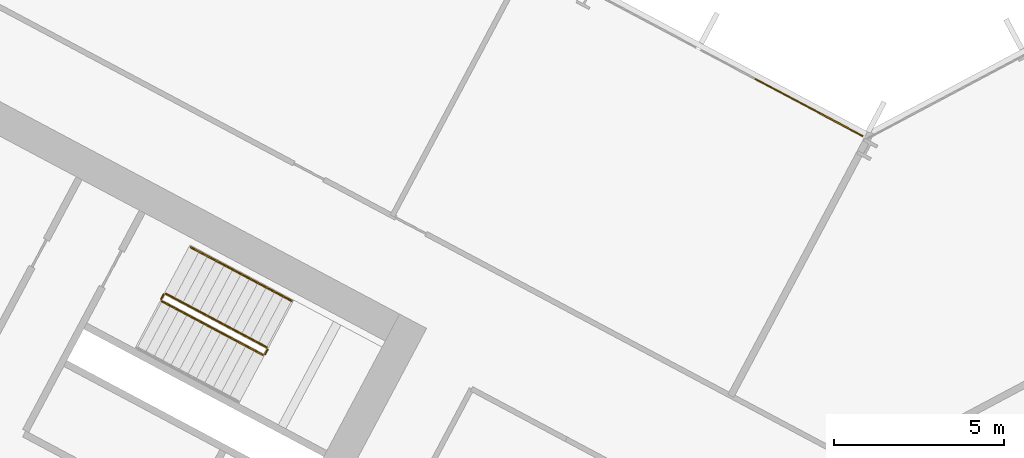
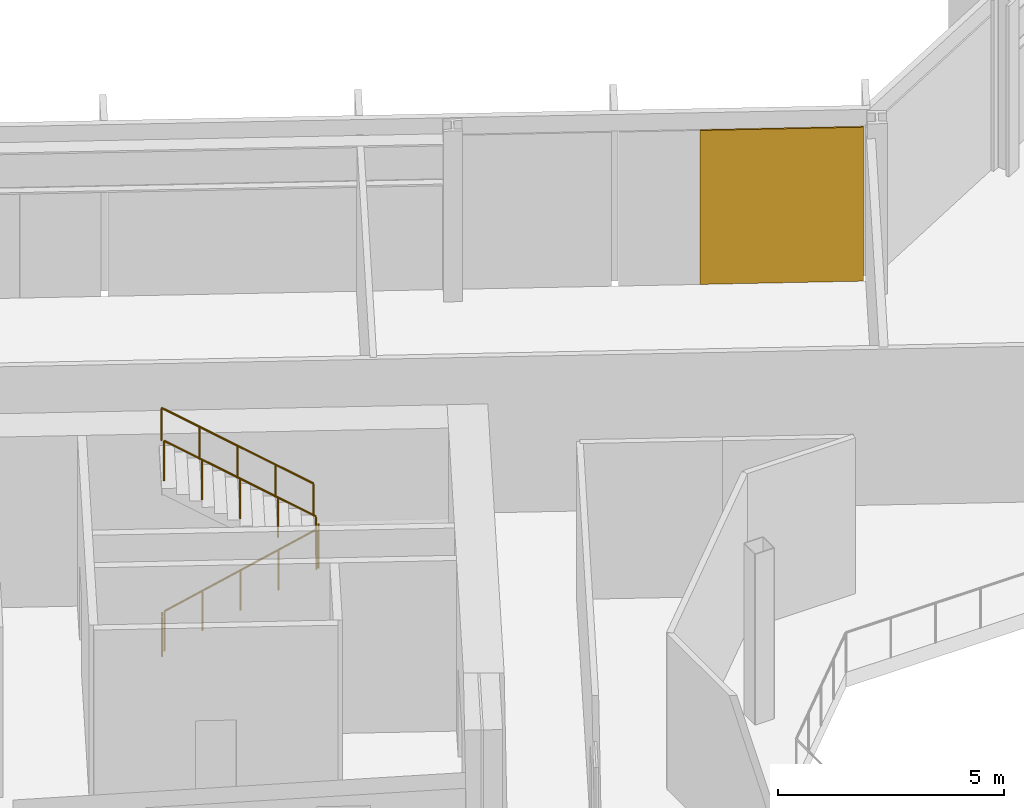
# One storey, part 24 of 30: 5 railings, 1 covering, 1 element without a shape of its own.
"""IFC4 building model written with IfcOpenShell, lengths in metres."""

from ifc_helpers import new_model, si_unit, direction, frame, origin, origin_2d, place, context, subcontext, project, spatial, polyline, rectangle, outline, extrude, material, layer, layer_set, type_object, element, aggregate, save


model = new_model("IFC4")

# Units and contexts
model_context = context("Model", 3, precision=1e-05, world=origin(), true_north=direction((0.0, 1.0)))
body_context = subcontext(model_context, "Body", "Model", "MODEL_VIEW")
ifc_project = project(units=[si_unit("LENGTHUNIT", "METRE"), si_unit("AREAUNIT", "SQUARE_METRE"), si_unit("VOLUMEUNIT", "CUBIC_METRE"), si_unit("PLANEANGLEUNIT", "RADIAN"), si_unit("MASSUNIT", "GRAM", prefix="KILO")], contexts=[model_context])

# Site, building, storey
site_placement = place(None, origin())
site = spatial("IfcSite", under=ifc_project, at=site_placement, CompositionType="ELEMENT")
building_placement = place(site_placement, origin())
building = spatial("IfcBuilding", under=site, at=building_placement, Name="Cormorant Relay Tower", CompositionType="ELEMENT")
storey_placement = place(building_placement, frame((0.0, 0.0, 89.199951171875)))
storey = spatial("IfcBuildingStorey", under=building, at=storey_placement, Name="L17", CompositionType="ELEMENT", Elevation=89.199951171875)

# Curtain wall, covering
ifc_material_1 = material(Name="Aluminium 6063-T6 anodised bronze", Category="aluminium")
ifc_layer_1 = layer(ifc_material_1, 0.199951171875)
ifc_layer_set_1 = layer_set([ifc_layer_1], Name="CW1 unitised bronze curtain wall with vertical fins")
curtain_wall_type = type_object("IfcCurtainWallType", Name="CW1 unitised bronze curtain wall with vertical fins", PredefinedType="NOTDEFINED", material=ifc_layer_set_1)
curtain_wall_placement = place(storey_placement, origin())
curtain_wall = element("IfcCurtainWall", 1, at=curtain_wall_placement, inside=storey, type_object=curtain_wall_type, Name="CW1 curtain wall 7", PredefinedType="NOTDEFINED")
ifc_material_2 = material(Name="Pale bronze anodised aluminium insulated panel", Category="aluminium")
ifc_layer_2 = layer(ifc_material_2, 0.0400390625)
ifc_layer_set_2 = layer_set([ifc_layer_2], Name="CW1 pale bronze insulated panel 40")
covering_type = type_object("IfcCoveringType", Name="CW1 pale bronze insulated panel 40", PredefinedType="CLADDING", material=ifc_layer_set_2)
covering_placement = place(storey_placement, frame((-1.718505859375, 24.720458984375, 0.0), z_axis=(0.0, 0.0, 1.0), x_axis=(-0.882947592859, 0.469471562786, 0.0)))
covering = element("IfcCovering", 2, at=covering_placement, type_object=covering_type, Name="CW1 panel S00", PredefinedType="CLADDING", context=body_context, shape_type="SweptSolid", body=[
    extrude(rectangle(XDim=3.614013671875, YDim=0.0400390625, at=origin_2d()), origin(), (0.0, 0.0, 1.0), 4.14990234375),
])
aggregate(curtain_wall, [covering])

# Railings
ifc_material_3 = material(Name="Steel ASTM A572 Grade 50 (Fy 345 MPa)", Category="steel")
railing_type_1 = type_object("IfcRailingType", Name="Stair guard 1100", PredefinedType="GUARDRAIL", material=ifc_material_3)
railing_1_placement = place(storey_placement, frame((-20.75048828125, 19.017822265625, 0.177001953125)))
element("IfcRailing", 3, at=railing_1_placement, inside=storey, type_object=railing_type_1, Name="L17 A1 stair guard 1", PredefinedType="GUARDRAIL", context=body_context, shape_type="SweptSolid", body=[
    extrude(outline(polyline([(0.022216796875, 0.00927734375), (0.00927734375, 0.022216796875), (-0.00927734375, 0.022216796875), (-0.022216796875, 0.00927734375), (-0.022216796875, -0.00927734375), (-0.00927734375, -0.022216796875), (0.00927734375, -0.022216796875), (0.022216796875, -0.00927734375), (0.022216796875, 0.00927734375)])), frame((0.0, 0.0, 1.076171875), z_axis=(0.746413465702, -0.396887285154, 0.534179203172), x_axis=(0.469482818608, 0.88294160794, 0.0)), (0.0, 0.0, 1.0), 3.974365234375),
    extrude(outline(polyline([(0.019287109375, 0.008056640625), (0.008056640625, 0.019287109375), (-0.008056640625, 0.019287109375), (-0.019287109375, 0.008056640625), (-0.019287109375, -0.008056640625), (-0.008056640625, -0.019287109375), (0.008056640625, -0.019287109375), (0.019287109375, -0.008056640625), (0.019287109375, 0.008056640625)])), origin(), (0.0, 0.0, 1.0), 1.052001953125),
    extrude(outline(polyline([(0.019287109375, 0.008056640625), (0.008056640625, 0.019287109375), (-0.008056640625, 0.019287109375), (-0.019287109375, 0.008056640625), (-0.019287109375, -0.008056640625), (-0.008056640625, -0.019287109375), (0.008056640625, -0.019287109375), (0.019287109375, -0.008056640625), (0.019287109375, 0.008056640625)])), frame((0.74169921875, -0.394287109375, 0.53076171875)), (0.0, 0.0, 1.0), 1.052001953125),
    extrude(outline(polyline([(0.019287109375, 0.008056640625), (0.008056640625, 0.019287109375), (-0.008056640625, 0.019287109375), (-0.019287109375, 0.008056640625), (-0.019287109375, -0.008056640625), (-0.008056640625, -0.019287109375), (0.008056640625, -0.019287109375), (0.019287109375, -0.008056640625), (0.019287109375, 0.008056640625)])), frame((1.4833984375, -0.78857421875, 1.0615234375)), (0.0, 0.0, 1.0), 1.052001953125),
    extrude(outline(polyline([(0.019287109375, 0.008056640625), (0.008056640625, 0.019287109375), (-0.008056640625, 0.019287109375), (-0.019287109375, 0.008056640625), (-0.019287109375, -0.008056640625), (-0.008056640625, -0.019287109375), (0.008056640625, -0.019287109375), (0.019287109375, -0.008056640625), (0.019287109375, 0.008056640625)])), frame((2.224853515625, -1.18310546875, 1.59228515625)), (0.0, 0.0, 1.0), 1.052001953125),
    extrude(outline(polyline([(0.019287109375, 0.008056640625), (0.008056640625, 0.019287109375), (-0.008056640625, 0.019287109375), (-0.019287109375, 0.008056640625), (-0.019287109375, -0.008056640625), (-0.008056640625, -0.019287109375), (0.008056640625, -0.019287109375), (0.019287109375, -0.008056640625), (0.019287109375, 0.008056640625)])), frame((2.966552734375, -1.577392578125, 2.123046875)), (0.0, 0.0, 1.0), 1.052001953125),
])
railing_2_placement = place(storey_placement, frame((-17.71630859375, 17.461181640625, 2.300048828125)))
element("IfcRailing", 4, at=railing_2_placement, inside=storey, type_object=railing_type_1, Name="L17 A1 stair guard 2", PredefinedType="GUARDRAIL", context=body_context, shape_type="SweptSolid", body=[
    extrude(outline(polyline([(0.022216796875, 0.00927734375), (0.00927734375, 0.022216796875), (-0.00927734375, 0.022216796875), (-0.022216796875, 0.00927734375), (-0.022216796875, -0.00927734375), (-0.00927734375, -0.022216796875), (0.00927734375, -0.022216796875), (0.022216796875, -0.00927734375), (0.022216796875, 0.00927734375)])), frame((0.0, 0.0, 1.076171875), z_axis=(0.470503732759, 0.882398003998, 0.0), x_axis=(-0.882398003998, 0.470503732759, 0.0)), (0.0, 0.0, 1.0), 0.14990234375),
    extrude(outline(polyline([(0.019287109375, 0.008056640625), (0.008056640625, 0.019287109375), (-0.008056640625, 0.019287109375), (-0.019287109375, 0.008056640625), (-0.019287109375, -0.008056640625), (-0.008056640625, -0.019287109375), (0.008056640625, -0.019287109375), (0.019287109375, -0.008056640625), (0.019287109375, 0.008056640625)])), origin(), (0.0, 0.0, 1.0), 1.052001953125),
    extrude(outline(polyline([(0.019287109375, 0.008056640625), (0.008056640625, 0.019287109375), (-0.008056640625, 0.019287109375), (-0.019287109375, 0.008056640625), (-0.019287109375, -0.008056640625), (-0.008056640625, -0.019287109375), (0.008056640625, -0.019287109375), (0.019287109375, -0.008056640625), (0.019287109375, 0.008056640625)])), frame((0.070556640625, 0.13232421875, 0.0)), (0.0, 0.0, 1.0), 1.052001953125),
])
railing_3_placement = place(storey_placement, frame((-17.66650390625, 17.6611328125, 2.47705078125)))
element("IfcRailing", 5, at=railing_3_placement, inside=storey, type_object=railing_type_1, Name="L17 A1 stair guard 3", PredefinedType="GUARDRAIL", context=body_context, shape_type="SweptSolid", body=[
    extrude(outline(polyline([(0.022216796875, 0.00927734375), (0.00927734375, 0.022216796875), (-0.00927734375, 0.022216796875), (-0.022216796875, 0.00927734375), (-0.022216796875, -0.00927734375), (-0.00927734375, -0.022216796875), (0.00927734375, -0.022216796875), (0.022216796875, -0.00927734375), (0.022216796875, 0.00927734375)])), frame((0.0, 0.0, 1.076171875), z_axis=(-0.746440668329, 0.396869088057, 0.534154711306), x_axis=(-0.46945269911, -0.882957622595, 0.0)), (0.0, 0.0, 1.0), 3.974609375),
    extrude(outline(polyline([(0.019287109375, 0.008056640625), (0.008056640625, 0.019287109375), (-0.008056640625, 0.019287109375), (-0.019287109375, 0.008056640625), (-0.019287109375, -0.008056640625), (-0.008056640625, -0.019287109375), (0.008056640625, -0.019287109375), (0.019287109375, -0.008056640625), (0.019287109375, 0.008056640625)])), origin(), (0.0, 0.0, 1.0), 1.052001953125),
    extrude(outline(polyline([(0.019287109375, 0.008056640625), (0.008056640625, 0.019287109375), (-0.008056640625, 0.019287109375), (-0.019287109375, 0.008056640625), (-0.019287109375, -0.008056640625), (-0.008056640625, -0.019287109375), (0.008056640625, -0.019287109375), (0.019287109375, -0.008056640625), (0.019287109375, 0.008056640625)])), frame((-0.74169921875, 0.394287109375, 0.53076171875)), (0.0, 0.0, 1.0), 1.052001953125),
    extrude(outline(polyline([(0.019287109375, 0.008056640625), (0.008056640625, 0.019287109375), (-0.008056640625, 0.019287109375), (-0.019287109375, 0.008056640625), (-0.019287109375, -0.008056640625), (-0.008056640625, -0.019287109375), (0.008056640625, -0.019287109375), (0.019287109375, -0.008056640625), (0.019287109375, 0.008056640625)])), frame((-1.4833984375, 0.78857421875, 1.0615234375)), (0.0, 0.0, 1.0), 1.052001953125),
    extrude(outline(polyline([(0.019287109375, 0.008056640625), (0.008056640625, 0.019287109375), (-0.008056640625, 0.019287109375), (-0.019287109375, 0.008056640625), (-0.019287109375, -0.008056640625), (-0.008056640625, -0.019287109375), (0.008056640625, -0.019287109375), (0.019287109375, -0.008056640625), (0.019287109375, 0.008056640625)])), frame((-2.22509765625, 1.18310546875, 1.59228515625)), (0.0, 0.0, 1.0), 1.052001953125),
    extrude(outline(polyline([(0.019287109375, 0.008056640625), (0.008056640625, 0.019287109375), (-0.008056640625, 0.019287109375), (-0.019287109375, 0.008056640625), (-0.019287109375, -0.008056640625), (-0.008056640625, -0.019287109375), (0.008056640625, -0.019287109375), (0.019287109375, -0.008056640625), (0.019287109375, 0.008056640625)])), frame((-2.966796875, 1.577392578125, 2.123046875)), (0.0, 0.0, 1.0), 1.052001953125),
])
railing_4_placement = place(storey_placement, frame((-20.771240234375, 19.08544921875, 0.0)))
element("IfcRailing", 6, at=railing_4_placement, inside=storey, type_object=railing_type_1, Name="L17 A1 stair guard 4", PredefinedType="GUARDRAIL", context=body_context, shape_type="SweptSolid", body=[
    extrude(outline(polyline([(0.022216796875, 0.00927734375), (0.00927734375, 0.022216796875), (-0.00927734375, 0.022216796875), (-0.022216796875, 0.00927734375), (-0.022216796875, -0.00927734375), (-0.00927734375, -0.022216796875), (0.00927734375, -0.022216796875), (0.022216796875, -0.00927734375), (0.022216796875, 0.00927734375)])), frame((0.0, 0.0, 1.076171875), z_axis=(0.469828648786, 0.882757634224, 0.0), x_axis=(-0.882757634224, 0.469828648786, 0.0)), (0.0, 0.0, 1.0), 0.150146484375),
    extrude(outline(polyline([(0.019287109375, 0.008056640625), (0.008056640625, 0.019287109375), (-0.008056640625, 0.019287109375), (-0.019287109375, 0.008056640625), (-0.019287109375, -0.008056640625), (-0.008056640625, -0.019287109375), (0.008056640625, -0.019287109375), (0.019287109375, -0.008056640625), (0.019287109375, 0.008056640625)])), origin(), (0.0, 0.0, 1.0), 1.052001953125),
    extrude(outline(polyline([(0.019287109375, 0.008056640625), (0.008056640625, 0.019287109375), (-0.008056640625, 0.019287109375), (-0.019287109375, 0.008056640625), (-0.019287109375, -0.008056640625), (-0.008056640625, -0.019287109375), (0.008056640625, -0.019287109375), (0.019287109375, -0.008056640625), (0.019287109375, 0.008056640625)])), frame((0.070556640625, 0.132568359375, 0.0)), (0.0, 0.0, 1.0), 1.052001953125),
])
ifc_material_4 = material(Name="Steel ASTM A572 Grade 50 (Fy 345 MPa)", Category="steel")
railing_type_2 = type_object("IfcRailingType", Name="Stair handrail 900", PredefinedType="HANDRAIL", material=ifc_material_4)
railing_5_placement = place(storey_placement, frame((-16.938720703125, 19.02978515625, 2.47705078125)))
element("IfcRailing", 7, at=railing_5_placement, inside=storey, type_object=railing_type_2, Name="L17 A1 stair handrail 2", PredefinedType="HANDRAIL", context=body_context, shape_type="SweptSolid", body=[
    extrude(outline(polyline([(0.022216796875, 0.00927734375), (0.00927734375, 0.022216796875), (-0.00927734375, 0.022216796875), (-0.022216796875, 0.00927734375), (-0.022216796875, -0.00927734375), (-0.00927734375, -0.022216796875), (0.00927734375, -0.022216796875), (0.022216796875, -0.00927734375), (0.022216796875, 0.00927734375)])), frame((0.0, 0.0, 0.8759765625), z_axis=(-0.746440668329, 0.396869088057, 0.534154711306), x_axis=(-0.46945269911, -0.882957622595, 0.0)), (0.0, 0.0, 1.0), 3.974609375),
    extrude(outline(polyline([(0.019287109375, 0.008056640625), (0.008056640625, 0.019287109375), (-0.008056640625, 0.019287109375), (-0.019287109375, 0.008056640625), (-0.019287109375, -0.008056640625), (-0.008056640625, -0.019287109375), (0.008056640625, -0.019287109375), (0.019287109375, -0.008056640625), (0.019287109375, 0.008056640625)])), origin(), (0.0, 0.0, 1.0), 0.851806640625),
    extrude(outline(polyline([(0.019287109375, 0.008056640625), (0.008056640625, 0.019287109375), (-0.008056640625, 0.019287109375), (-0.019287109375, 0.008056640625), (-0.019287109375, -0.008056640625), (-0.008056640625, -0.019287109375), (0.008056640625, -0.019287109375), (0.019287109375, -0.008056640625), (0.019287109375, 0.008056640625)])), frame((-0.74169921875, 0.394287109375, 0.53076171875)), (0.0, 0.0, 1.0), 0.851806640625),
    extrude(outline(polyline([(0.019287109375, 0.008056640625), (0.008056640625, 0.019287109375), (-0.008056640625, 0.019287109375), (-0.019287109375, 0.008056640625), (-0.019287109375, -0.008056640625), (-0.008056640625, -0.019287109375), (0.008056640625, -0.019287109375), (0.019287109375, -0.008056640625), (0.019287109375, 0.008056640625)])), frame((-1.4833984375, 0.78857421875, 1.0615234375)), (0.0, 0.0, 1.0), 0.851806640625),
    extrude(outline(polyline([(0.019287109375, 0.008056640625), (0.008056640625, 0.019287109375), (-0.008056640625, 0.019287109375), (-0.019287109375, 0.008056640625), (-0.019287109375, -0.008056640625), (-0.008056640625, -0.019287109375), (0.008056640625, -0.019287109375), (0.019287109375, -0.008056640625), (0.019287109375, 0.008056640625)])), frame((-2.22509765625, 1.18310546875, 1.59228515625)), (0.0, 0.0, 1.0), 0.851806640625),
    extrude(outline(polyline([(0.019287109375, 0.008056640625), (0.008056640625, 0.019287109375), (-0.008056640625, 0.019287109375), (-0.019287109375, 0.008056640625), (-0.019287109375, -0.008056640625), (-0.008056640625, -0.019287109375), (0.008056640625, -0.019287109375), (0.019287109375, -0.008056640625), (0.019287109375, 0.008056640625)])), frame((-2.966796875, 1.577392578125, 2.123046875)), (0.0, 0.0, 1.0), 0.851806640625),
])

save(model, "model.ifc")
